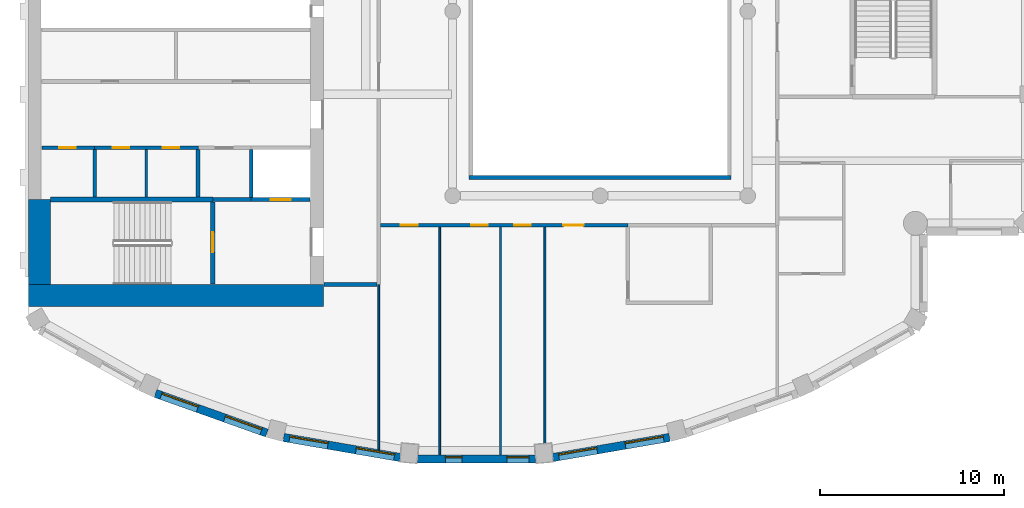
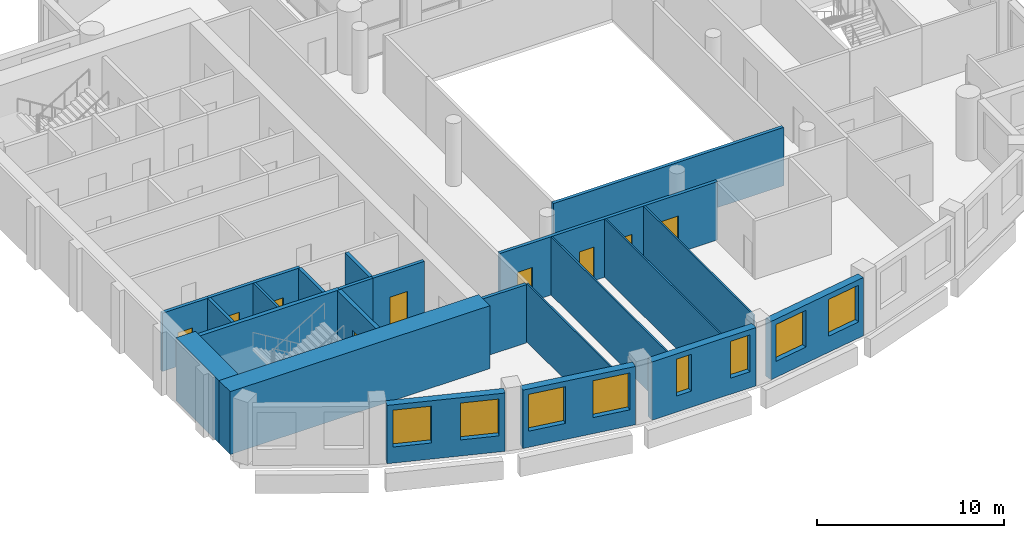
# One storey, part 4 of 14: 23 walls, 9 doors, 8 windows, 17 openings.
"""IFC4 building model written with IfcOpenShell, lengths in metres."""

from ifc_helpers import new_model, si_unit, direction, frame, frame_2d, origin, place, context, subcontext, project, spatial, rectangle, extrude, material, layer, layer_set, type_object, element, fill, save


model = new_model("IFC4")

# Units and contexts
model_context = context("Model", 3, precision=1e-05, world=origin(), true_north=direction((0.0, 1.0)))
body_context = subcontext(model_context, "Body", "Model", "MODEL_VIEW")
ifc_project = project(units=[si_unit("LENGTHUNIT", "METRE"), si_unit("AREAUNIT", "SQUARE_METRE"), si_unit("VOLUMEUNIT", "CUBIC_METRE"), si_unit("PLANEANGLEUNIT", "RADIAN"), si_unit("MASSUNIT", "GRAM", prefix="KILO")], contexts=[model_context])

# Site, building, storey
site_placement = place(None, origin())
site = spatial("IfcSite", under=ifc_project, at=site_placement, CompositionType="ELEMENT")
building_placement = place(site_placement, origin())
building = spatial("IfcBuilding", under=site, at=building_placement, Name="Cypress Arch Tower", CompositionType="ELEMENT")
storey_placement = place(building_placement, frame((0.0, 0.0, 296.699951171875)))
storey = spatial("IfcBuildingStorey", under=building, at=storey_placement, Name="L67", CompositionType="ELEMENT", Elevation=296.699951171875)

# Wall, openings, windows
ifc_material_1 = material(Name="Brick (red buff blend)", Category="masonry")
ifc_layer_1 = layer(ifc_material_1, 0.449951171875)
ifc_layer_set_1 = layer_set([ifc_layer_1], Name="Brick pier and spandrel wall BW450")
wall_type_1 = type_object("IfcWallType", Name="Brick pier and spandrel wall BW450", PredefinedType="SOLIDWALL", material=ifc_layer_set_1)
wall_1_placement = place(storey_placement, frame((-23.10498046875, -20.70947265625, 0.0), z_axis=(0.0, 0.0, 1.0), x_axis=(0.942104058931, -0.335320655711, 0.0)))
wall_1 = element("IfcWall", 1, at=wall_1_placement, inside=storey, type_object=wall_type_1, Name="Brick wall L67 C09.0", PredefinedType="SOLIDWALL", context=body_context, shape_type="SweptSolid", body=[
    extrude(rectangle(XDim=6.411376953125, YDim=0.449951171875, at=frame_2d((3.20556640625, 0.0))), origin(), (0.0, 0.0, 1.0), 3.800048828125),
])
opening_1_placement = place(wall_1_placement, frame((0.3271484375, 0.0, 1.050048828125)))
opening_1 = element("IfcOpeningElement", 2, at=opening_1_placement, cuts=wall_1, Name="Opening W210O", PredefinedType="OPENING", context=body_context, shape_type="SweptSolid", body=[
    extrude(rectangle(XDim=2.10009765625, YDim=2.39990234375, at=frame_2d((1.050048828125, 1.199951171875))), frame((0.0, 0.23486328125, 0.0), z_axis=(0.0, -1.0, 0.0), x_axis=(1.0, 0.0, 0.0)), (0.0, 0.0, 1.0), 0.469970703125),
])
opening_2_placement = place(wall_1_placement, frame((3.984619140625, 0.0, 1.050048828125)))
opening_2 = element("IfcOpeningElement", 3, at=opening_2_placement, cuts=wall_1, Name="Opening W210O", PredefinedType="OPENING", context=body_context, shape_type="SweptSolid", body=[
    extrude(rectangle(XDim=2.10009765625, YDim=2.39990234375, at=frame_2d((1.050048828125, 1.199951171875))), frame((0.0, 0.23486328125, 0.0), z_axis=(0.0, -1.0, 0.0), x_axis=(1.0, 0.0, 0.0)), (0.0, 0.0, 1.0), 0.469970703125),
])
ifc_material_2 = material(Name="Anodised aluminium, bronze finish, clear low-emissivity double glazing", Category="aluminium")
window_type_1 = type_object("IfcWindowType", Name="Window Office 2100x2400", PartitioningType="SINGLE_PANEL", PredefinedType="WINDOW", material=ifc_material_2)
window_1_placement = place(opening_1_placement, origin())
window_1 = element("IfcWindow", 4, at=window_1_placement, inside=storey, type_object=window_type_1, Name="Window L67 C09.0.1", OverallHeight=2.39990234375, OverallWidth=2.10009765625, PartitioningType="SINGLE_PANEL", PredefinedType="WINDOW", context=body_context, shape_type="SweptSolid", body=[
    extrude(rectangle(XDim=2.10009765625, YDim=2.39990234375, at=frame_2d((1.050048828125, 1.199951171875))), frame((0.0, 0.135009765625, 0.0), z_axis=(0.0, -1.0, 0.0), x_axis=(1.0, 0.0, 0.0)), (0.0, 0.0, 1.0), 0.06005859375),
])
fill(opening_1, window_1)
window_2_placement = place(opening_2_placement, origin())
window_2 = element("IfcWindow", 5, at=window_2_placement, inside=storey, type_object=window_type_1, Name="Window L67 C09.0.2", OverallHeight=2.39990234375, OverallWidth=2.10009765625, PartitioningType="SINGLE_PANEL", PredefinedType="WINDOW", context=body_context, shape_type="SweptSolid", body=[
    extrude(rectangle(XDim=2.10009765625, YDim=2.39990234375, at=frame_2d((1.050048828125, 1.199951171875))), frame((0.0, 0.135009765625, 0.0), z_axis=(0.0, -1.0, 0.0), x_axis=(1.0, 0.0, 0.0)), (0.0, 0.0, 1.0), 0.06005859375),
])
fill(opening_2, window_2)

wall_2_placement = place(storey_placement, frame((-16.15673828125, -23.09716796875, 0.0), z_axis=(0.0, 0.0, 1.0), x_axis=(0.985502073964, -0.169663379113, 0.0)))
wall_2 = element("IfcWall", 6, at=wall_2_placement, inside=storey, type_object=wall_type_1, Name="Brick wall L67 C10.0", PredefinedType="SOLIDWALL", context=body_context, shape_type="SweptSolid", body=[
    extrude(rectangle(XDim=6.412109375, YDim=0.449951171875, at=frame_2d((3.2060546875, 0.0))), origin(), (0.0, 0.0, 1.0), 3.800048828125),
])
opening_3_placement = place(wall_2_placement, frame((0.3271484375, 0.0, 1.050048828125)))
opening_3 = element("IfcOpeningElement", 7, at=opening_3_placement, cuts=wall_2, Name="Opening W210O", PredefinedType="OPENING", context=body_context, shape_type="SweptSolid", body=[
    extrude(rectangle(XDim=2.10009765625, YDim=2.39990234375, at=frame_2d((1.050048828125, 1.199951171875))), frame((0.0, 0.23486328125, 0.0), z_axis=(0.0, -1.0, 0.0), x_axis=(1.0, 0.0, 0.0)), (0.0, 0.0, 1.0), 0.469970703125),
])
opening_4_placement = place(wall_2_placement, frame((3.98486328125, 0.0, 1.050048828125)))
opening_4 = element("IfcOpeningElement", 8, at=opening_4_placement, cuts=wall_2, Name="Opening W210O", PredefinedType="OPENING", context=body_context, shape_type="SweptSolid", body=[
    extrude(rectangle(XDim=2.10009765625, YDim=2.39990234375, at=frame_2d((1.050048828125, 1.199951171875))), frame((0.0, 0.23486328125, 0.0), z_axis=(0.0, -1.0, 0.0), x_axis=(1.0, 0.0, 0.0)), (0.0, 0.0, 1.0), 0.469970703125),
])
window_3_placement = place(opening_3_placement, origin())
window_3 = element("IfcWindow", 9, at=window_3_placement, inside=storey, type_object=window_type_1, Name="Window L67 C10.0.1", OverallHeight=2.39990234375, OverallWidth=2.10009765625, PartitioningType="SINGLE_PANEL", PredefinedType="WINDOW", context=body_context, shape_type="SweptSolid", body=[
    extrude(rectangle(XDim=2.10009765625, YDim=2.39990234375, at=frame_2d((1.050048828125, 1.199951171875))), frame((0.0, 0.135009765625, 0.0), z_axis=(0.0, -1.0, 0.0), x_axis=(1.0, 0.0, 0.0)), (0.0, 0.0, 1.0), 0.06005859375),
])
fill(opening_3, window_3)
window_4_placement = place(opening_4_placement, origin())
window_4 = element("IfcWindow", 10, at=window_4_placement, inside=storey, type_object=window_type_1, Name="Window L67 C10.0.2", OverallHeight=2.39990234375, OverallWidth=2.10009765625, PartitioningType="SINGLE_PANEL", PredefinedType="WINDOW", context=body_context, shape_type="SweptSolid", body=[
    extrude(rectangle(XDim=2.10009765625, YDim=2.39990234375, at=frame_2d((1.050048828125, 1.199951171875))), frame((0.0, 0.135009765625, 0.0), z_axis=(0.0, -1.0, 0.0), x_axis=(1.0, 0.0, 0.0)), (0.0, 0.0, 1.0), 0.06005859375),
])
fill(opening_4, window_4)

wall_3_placement = place(storey_placement, frame((-8.90283203125, -24.264892578125, 0.0), z_axis=(0.0, 0.0, 1.0), x_axis=(1.0, 0.0, 0.0)))
wall_3 = element("IfcWall", 11, at=wall_3_placement, inside=storey, type_object=wall_type_1, Name="Brick wall L67 C11.0", PredefinedType="SOLIDWALL", context=body_context, shape_type="SweptSolid", body=[
    extrude(rectangle(XDim=6.405517578125, YDim=0.449951171875, at=frame_2d((3.20263671875, 0.0))), origin(), (0.0, 0.0, 1.0), 3.800048828125),
])
opening_5_placement = place(wall_3_placement, frame((1.51416015625, 0.0, 1.050048828125)))
opening_5 = element("IfcOpeningElement", 12, at=opening_5_placement, cuts=wall_3, Name="Opening W090O", PredefinedType="OPENING", context=body_context, shape_type="SweptSolid", body=[
    extrude(rectangle(XDim=0.89990234375, YDim=2.39990234375, at=frame_2d((0.449951171875, 1.199951171875))), frame((0.0, 0.23486328125, 0.0), z_axis=(0.0, -1.0, 0.0), x_axis=(1.0, 0.0, 0.0)), (0.0, 0.0, 1.0), 0.469970703125),
])
opening_6_placement = place(wall_3_placement, frame((4.84130859375, 0.0, 1.050048828125)))
opening_6 = element("IfcOpeningElement", 13, at=opening_6_placement, cuts=wall_3, Name="Opening W120O", PredefinedType="OPENING", context=body_context, shape_type="SweptSolid", body=[
    extrude(rectangle(XDim=1.199951171875, YDim=2.39990234375, at=frame_2d((0.60009765625, 1.199951171875))), frame((0.0, 0.23486328125, 0.0), z_axis=(0.0, -1.0, 0.0), x_axis=(1.0, 0.0, 0.0)), (0.0, 0.0, 1.0), 0.469970703125),
])
ifc_material_3 = material(Name="Anodised aluminium, bronze finish, clear low-emissivity double glazing", Category="aluminium")
window_type_2 = type_object("IfcWindowType", Name="Window Office 1200x2400", PartitioningType="SINGLE_PANEL", PredefinedType="WINDOW", material=ifc_material_3)
window_5_placement = place(opening_6_placement, origin())
window_5 = element("IfcWindow", 14, at=window_5_placement, inside=storey, type_object=window_type_2, Name="Window L67 C11.0.2", OverallHeight=2.39990234375, OverallWidth=1.199951171875, PartitioningType="SINGLE_PANEL", PredefinedType="WINDOW", context=body_context, shape_type="SweptSolid", body=[
    extrude(rectangle(XDim=1.199951171875, YDim=2.39990234375, at=frame_2d((0.60009765625, 1.199951171875))), frame((0.0, 0.135009765625, 0.0), z_axis=(0.0, -1.0, 0.0), x_axis=(1.0, 0.0, 0.0)), (0.0, 0.0, 1.0), 0.06005859375),
])
fill(opening_6, window_5)
ifc_material_4 = material(Name="Anodised aluminium, bronze finish, clear low-emissivity double glazing", Category="aluminium")
window_type_3 = type_object("IfcWindowType", Name="Window Office 900x2400", PartitioningType="SINGLE_PANEL", PredefinedType="WINDOW", material=ifc_material_4)
window_6_placement = place(opening_5_placement, origin())
window_6 = element("IfcWindow", 15, at=window_6_placement, inside=storey, type_object=window_type_3, Name="Window L67 C11.0.1", OverallHeight=2.39990234375, OverallWidth=0.89990234375, PartitioningType="SINGLE_PANEL", PredefinedType="WINDOW", context=body_context, shape_type="SweptSolid", body=[
    extrude(rectangle(XDim=0.89990234375, YDim=2.39990234375, at=frame_2d((0.449951171875, 1.199951171875))), frame((0.0, 0.135009765625, 0.0), z_axis=(0.0, -1.0, 0.0), x_axis=(1.0, 0.0, 0.0)), (0.0, 0.0, 1.0), 0.06005859375),
])
fill(opening_5, window_6)

wall_4_placement = place(storey_placement, frame((-1.562255859375, -24.18505859375, 0.0), z_axis=(0.0, 0.0, 1.0), x_axis=(0.985502073964, 0.169663379113, 0.0)))
wall_4 = element("IfcWall", 16, at=wall_4_placement, inside=storey, type_object=wall_type_1, Name="Brick wall L67 C12.0", PredefinedType="SOLIDWALL", context=body_context, shape_type="SweptSolid", body=[
    extrude(rectangle(XDim=6.412109375, YDim=0.449951171875, at=frame_2d((3.2060546875, 0.0))), origin(), (0.0, 0.0, 1.0), 3.800048828125),
])
opening_7_placement = place(wall_4_placement, frame((0.3271484375, 0.0, 1.050048828125)))
opening_7 = element("IfcOpeningElement", 17, at=opening_7_placement, cuts=wall_4, Name="Opening W210O", PredefinedType="OPENING", context=body_context, shape_type="SweptSolid", body=[
    extrude(rectangle(XDim=2.10009765625, YDim=2.39990234375, at=frame_2d((1.050048828125, 1.199951171875))), frame((0.0, 0.23486328125, 0.0), z_axis=(0.0, -1.0, 0.0), x_axis=(1.0, 0.0, 0.0)), (0.0, 0.0, 1.0), 0.469970703125),
])
opening_8_placement = place(wall_4_placement, frame((3.98486328125, 0.0, 1.050048828125)))
opening_8 = element("IfcOpeningElement", 18, at=opening_8_placement, cuts=wall_4, Name="Opening W210O", PredefinedType="OPENING", context=body_context, shape_type="SweptSolid", body=[
    extrude(rectangle(XDim=2.10009765625, YDim=2.39990234375, at=frame_2d((1.050048828125, 1.199951171875))), frame((0.0, 0.23486328125, 0.0), z_axis=(0.0, -1.0, 0.0), x_axis=(1.0, 0.0, 0.0)), (0.0, 0.0, 1.0), 0.469970703125),
])
window_7_placement = place(opening_7_placement, origin())
window_7 = element("IfcWindow", 19, at=window_7_placement, inside=storey, type_object=window_type_1, Name="Window L67 C12.0.1", OverallHeight=2.39990234375, OverallWidth=2.10009765625, PartitioningType="SINGLE_PANEL", PredefinedType="WINDOW", context=body_context, shape_type="SweptSolid", body=[
    extrude(rectangle(XDim=2.10009765625, YDim=2.39990234375, at=frame_2d((1.050048828125, 1.199951171875))), frame((0.0, 0.135009765625, 0.0), z_axis=(0.0, -1.0, 0.0), x_axis=(1.0, 0.0, 0.0)), (0.0, 0.0, 1.0), 0.06005859375),
])
fill(opening_7, window_7)
window_8_placement = place(opening_8_placement, origin())
window_8 = element("IfcWindow", 20, at=window_8_placement, inside=storey, type_object=window_type_1, Name="Window L67 C12.0.2", OverallHeight=2.39990234375, OverallWidth=2.10009765625, PartitioningType="SINGLE_PANEL", PredefinedType="WINDOW", context=body_context, shape_type="SweptSolid", body=[
    extrude(rectangle(XDim=2.10009765625, YDim=2.39990234375, at=frame_2d((1.050048828125, 1.199951171875))), frame((0.0, 0.135009765625, 0.0), z_axis=(0.0, -1.0, 0.0), x_axis=(1.0, 0.0, 0.0)), (0.0, 0.0, 1.0), 0.06005859375),
])
fill(opening_8, window_8)

# Walls
ifc_material_5 = material(Name="Concrete C60/75", Category="concrete")
ifc_layer_2 = layer(ifc_material_5, 1.199951171875)
ifc_layer_set_2 = layer_set([ifc_layer_2], Name="Core wall CW1200 C60/75")
wall_type_2 = type_object("IfcWallType", Name="Core wall CW1200 C60/75", PredefinedType="SHEAR", material=ifc_layer_set_2)
wall_5_placement = place(storey_placement, frame((-30.0, -15.39990234375, 0.0), z_axis=(0.0, 0.0, 1.0), x_axis=(1.0, 0.0, 0.0)))
element("IfcWall", 21, at=wall_5_placement, inside=storey, type_object=wall_type_2, Name="Core wall", PredefinedType="SHEAR", context=body_context, shape_type="SweptSolid", body=[
    extrude(rectangle(XDim=16.0, YDim=1.199951171875, at=frame_2d((8.0, 0.0))), origin(), (0.0, 0.0, 1.0), 4.10009765625),
])
wall_6_placement = place(storey_placement, frame((-29.39990234375, -14.800048828125, 0.0), z_axis=(0.0, 0.0, 1.0), x_axis=(0.0, 1.0, 0.0)))
element("IfcWall", 22, at=wall_6_placement, inside=storey, type_object=wall_type_2, Name="Core wall", PredefinedType="SHEAR", context=body_context, shape_type="SweptSolid", body=[
    extrude(rectangle(XDim=4.60009765625, YDim=1.199951171875, at=frame_2d((2.300048828125, 0.0))), origin(), (0.0, 0.0, 1.0), 4.10009765625),
])

# Wall, openings, doors
ifc_material_6 = material(Name="Concrete blockwork, plastered, rated", Category="masonry")
ifc_layer_3 = layer(ifc_material_6, 0.199951171875)
ifc_layer_set_3 = layer_set([ifc_layer_3], Name="Corridor wall FW200")
wall_type_3 = type_object("IfcWallType", Name="Corridor wall FW200", PredefinedType="PARTITIONING", material=ifc_layer_set_3)
wall_7_placement = place(storey_placement, frame((-26.419921875, -7.39990234375, 0.0), z_axis=(0.0, 0.0, 1.0), x_axis=(1.0, 0.0, 0.0)))
wall_7 = element("IfcWall", 23, at=wall_7_placement, inside=storey, type_object=wall_type_3, Name="Corridor wall", PredefinedType="PARTITIONING", context=body_context, shape_type="SweptSolid", body=[
    extrude(rectangle(XDim=5.639892578125, YDim=0.199951171875, at=frame_2d((2.81982421875, 0.0))), origin(), (0.0, 0.0, 1.0), 3.800048828125),
])
opening_9_placement = place(wall_7_placement, frame((1.0, 0.0, 0.0)))
opening_9 = element("IfcOpeningElement", 24, at=opening_9_placement, cuts=wall_7, Name="Opening D05", PredefinedType="OPENING", context=body_context, shape_type="SweptSolid", body=[
    extrude(rectangle(XDim=0.89990234375, YDim=2.199951171875, at=frame_2d((0.449951171875, 1.10009765625))), frame((0.0, 0.10986328125, 0.0), z_axis=(0.0, -1.0, 0.0), x_axis=(1.0, 0.0, 0.0)), (0.0, 0.0, 1.0), 0.219970703125),
])
opening_10_placement = place(wall_7_placement, frame((3.699951171875, 0.0, 0.0)))
opening_10 = element("IfcOpeningElement", 25, at=opening_10_placement, cuts=wall_7, Name="Opening D05", PredefinedType="OPENING", context=body_context, shape_type="SweptSolid", body=[
    extrude(rectangle(XDim=0.89990234375, YDim=2.199951171875, at=frame_2d((0.449951171875, 1.10009765625))), frame((0.0, 0.10986328125, 0.0), z_axis=(0.0, -1.0, 0.0), x_axis=(1.0, 0.0, 0.0)), (0.0, 0.0, 1.0), 0.219970703125),
])
ifc_material_7 = material(Name="Timber flush door", Category="wood")
door_type_1 = type_object("IfcDoorType", Name="Service door D05 900x2200", OperationType="SINGLE_SWING_LEFT", PredefinedType="DOOR", material=ifc_material_7)
door_1_placement = place(opening_9_placement, origin())
door_1 = element("IfcDoor", 26, at=door_1_placement, inside=storey, type_object=door_type_1, Name="Service door", OperationType="SINGLE_SWING_LEFT", OverallHeight=2.199951171875, OverallWidth=0.89990234375, PredefinedType="DOOR", context=body_context, shape_type="SweptSolid", body=[
    extrude(rectangle(XDim=0.89990234375, YDim=2.199951171875, at=frame_2d((0.449951171875, 1.10009765625))), frame((0.0, 0.02490234375, 0.0), z_axis=(0.0, -1.0, 0.0), x_axis=(1.0, 0.0, 0.0)), (0.0, 0.0, 1.0), 0.050048828125),
])
fill(opening_9, door_1)
door_2_placement = place(opening_10_placement, origin())
door_2 = element("IfcDoor", 27, at=door_2_placement, inside=storey, type_object=door_type_1, Name="Service door", OperationType="SINGLE_SWING_RIGHT", OverallHeight=2.199951171875, OverallWidth=0.89990234375, PredefinedType="DOOR", context=body_context, shape_type="SweptSolid", body=[
    extrude(rectangle(XDim=0.89990234375, YDim=2.199951171875, at=frame_2d((0.449951171875, 1.10009765625))), frame((0.0, 0.02490234375, 0.0), z_axis=(0.0, -1.0, 0.0), x_axis=(1.0, 0.0, 0.0)), (0.0, 0.0, 1.0), 0.050048828125),
])
fill(opening_10, door_2)

# Wall
wall_8_placement = place(storey_placement, frame((-13.969970703125, -14.800048828125, 0.0), z_axis=(0.0, 0.0, 1.0), x_axis=(1.0, 0.0, 0.0)))
element("IfcWall", 28, at=wall_8_placement, inside=storey, type_object=wall_type_3, Name="Corridor wall", PredefinedType="PARTITIONING", context=body_context, shape_type="SweptSolid", body=[
    extrude(rectangle(XDim=2.869873046875, YDim=0.199951171875, at=frame_2d((1.43505859375, 0.0))), origin(), (0.0, 0.0, 1.0), 3.800048828125),
])

# Wall, openings, doors
wall_9_placement = place(storey_placement, frame((-10.89990234375, -11.60009765625, 0.0), z_axis=(0.0, 0.0, 1.0), x_axis=(1.0, 0.0, 0.0)))
wall_9 = element("IfcWall", 29, at=wall_9_placement, inside=storey, type_object=wall_type_3, Name="Corridor wall", PredefinedType="PARTITIONING", context=body_context, shape_type="SweptSolid", body=[
    extrude(rectangle(XDim=13.4208984375, YDim=0.199951171875, at=frame_2d((6.71044921875, 0.0))), origin(), (0.0, 0.0, 1.0), 3.800048828125),
])
opening_11_placement = place(wall_9_placement, frame((1.10009765625, 0.0, 0.0)))
opening_11 = element("IfcOpeningElement", 30, at=opening_11_placement, cuts=wall_9, Name="Opening D03", PredefinedType="OPENING", context=body_context, shape_type="SweptSolid", body=[
    extrude(rectangle(XDim=0.89990234375, YDim=2.199951171875, at=frame_2d((0.449951171875, 1.10009765625))), frame((0.0, 0.10986328125, 0.0), z_axis=(0.0, -1.0, 0.0), x_axis=(1.0, 0.0, 0.0)), (0.0, 0.0, 1.0), 0.219970703125),
])
opening_12_placement = place(wall_9_placement, frame((4.89990234375, 0.0, 0.0)))
opening_12 = element("IfcOpeningElement", 31, at=opening_12_placement, cuts=wall_9, Name="Opening D03", PredefinedType="OPENING", context=body_context, shape_type="SweptSolid", body=[
    extrude(rectangle(XDim=0.89990234375, YDim=2.199951171875, at=frame_2d((0.449951171875, 1.10009765625))), frame((0.0, 0.10986328125, 0.0), z_axis=(0.0, -1.0, 0.0), x_axis=(1.0, 0.0, 0.0)), (0.0, 0.0, 1.0), 0.219970703125),
])
opening_13_placement = place(wall_9_placement, frame((7.25, 0.0, 0.0)))
opening_13 = element("IfcOpeningElement", 32, at=opening_13_placement, cuts=wall_9, Name="Opening D03", PredefinedType="OPENING", context=body_context, shape_type="SweptSolid", body=[
    extrude(rectangle(XDim=0.89990234375, YDim=2.199951171875, at=frame_2d((0.449951171875, 1.10009765625))), frame((0.0, 0.10986328125, 0.0), z_axis=(0.0, -1.0, 0.0), x_axis=(1.0, 0.0, 0.0)), (0.0, 0.0, 1.0), 0.219970703125),
])
opening_14_placement = place(wall_9_placement, frame((9.89990234375, 0.0, 0.0)))
opening_14 = element("IfcOpeningElement", 33, at=opening_14_placement, cuts=wall_9, Name="Opening D01", PredefinedType="OPENING", context=body_context, shape_type="SweptSolid", body=[
    extrude(rectangle(XDim=1.10009765625, YDim=2.39990234375, at=frame_2d((0.550048828125, 1.199951171875))), frame((0.0, 0.10986328125, 0.0), z_axis=(0.0, -1.0, 0.0), x_axis=(1.0, 0.0, 0.0)), (0.0, 0.0, 1.0), 0.219970703125),
])
ifc_material_8 = material(Name="Timber flush door, moisture resistant", Category="wood")
door_type_2 = type_object("IfcDoorType", Name="Bathroom door D03 900x2200", OperationType="SINGLE_SWING_LEFT", PredefinedType="DOOR", material=ifc_material_8)
door_3_placement = place(opening_11_placement, origin())
door_3 = element("IfcDoor", 34, at=door_3_placement, inside=storey, type_object=door_type_2, Name="Bathroom door", OperationType="SINGLE_SWING_RIGHT", OverallHeight=2.199951171875, OverallWidth=0.89990234375, PredefinedType="DOOR", context=body_context, shape_type="SweptSolid", body=[
    extrude(rectangle(XDim=0.89990234375, YDim=2.199951171875, at=frame_2d((0.449951171875, 1.10009765625))), frame((0.0, 0.02490234375, 0.0), z_axis=(0.0, -1.0, 0.0), x_axis=(1.0, 0.0, 0.0)), (0.0, 0.0, 1.0), 0.050048828125),
])
fill(opening_11, door_3)
door_4_placement = place(opening_12_placement, origin())
door_4 = element("IfcDoor", 35, at=door_4_placement, inside=storey, type_object=door_type_2, Name="Bathroom door", OperationType="SINGLE_SWING_LEFT", OverallHeight=2.199951171875, OverallWidth=0.89990234375, PredefinedType="DOOR", context=body_context, shape_type="SweptSolid", body=[
    extrude(rectangle(XDim=0.89990234375, YDim=2.199951171875, at=frame_2d((0.449951171875, 1.10009765625))), frame((0.0, 0.02490234375, 0.0), z_axis=(0.0, -1.0, 0.0), x_axis=(1.0, 0.0, 0.0)), (0.0, 0.0, 1.0), 0.050048828125),
])
fill(opening_12, door_4)
door_5_placement = place(opening_13_placement, origin())
door_5 = element("IfcDoor", 36, at=door_5_placement, inside=storey, type_object=door_type_2, Name="Bathroom door", OperationType="SINGLE_SWING_LEFT", OverallHeight=2.199951171875, OverallWidth=0.89990234375, PredefinedType="DOOR", context=body_context, shape_type="SweptSolid", body=[
    extrude(rectangle(XDim=0.89990234375, YDim=2.199951171875, at=frame_2d((0.449951171875, 1.10009765625))), frame((0.0, 0.02490234375, 0.0), z_axis=(0.0, -1.0, 0.0), x_axis=(1.0, 0.0, 0.0)), (0.0, 0.0, 1.0), 0.050048828125),
])
fill(opening_13, door_5)
ifc_material_9 = material(Name="Timber flush door, fire resisting, self-closing", Category="wood")
door_type_3 = type_object("IfcDoorType", Name="Unit entrance door D01 1100x2400", OperationType="SINGLE_SWING_LEFT", PredefinedType="DOOR", material=ifc_material_9)
door_6_placement = place(opening_14_placement, origin())
door_6 = element("IfcDoor", 37, at=door_6_placement, inside=storey, type_object=door_type_3, Name="Unit entrance door", OperationType="SINGLE_SWING_RIGHT", OverallHeight=2.39990234375, OverallWidth=1.10009765625, PredefinedType="DOOR", context=body_context, shape_type="SweptSolid", body=[
    extrude(rectangle(XDim=1.10009765625, YDim=2.39990234375, at=frame_2d((0.550048828125, 1.199951171875))), frame((0.0, 0.02490234375, 0.0), z_axis=(0.0, -1.0, 0.0), x_axis=(1.0, 0.0, 0.0)), (0.0, 0.0, 1.0), 0.050048828125),
])
fill(opening_14, door_6)

# Walls
wall_10_placement = place(storey_placement, frame((-6.10009765625, -9.0, 0.0), z_axis=(0.0, 0.0, 1.0), x_axis=(1.0, 0.0, 0.0)))
element("IfcWall", 38, at=wall_10_placement, inside=storey, type_object=wall_type_3, Name="Corridor wall", PredefinedType="PARTITIONING", context=body_context, shape_type="SweptSolid", body=[
    extrude(rectangle(XDim=14.2001953125, YDim=0.199951171875, at=frame_2d((7.10009765625, 0.0))), origin(), (0.0, 0.0, 1.0), 3.800048828125),
])
ifc_material_10 = material(Name="Blockwork, plastered both sides", Category="masonry")
ifc_layer_4 = layer(ifc_material_10, 0.14990234375)
ifc_layer_set_4 = layer_set([ifc_layer_4], Name="Partition PW150")
wall_type_4 = type_object("IfcWallType", Name="Partition PW150", PredefinedType="PARTITIONING", material=ifc_layer_set_4)
wall_11_placement = place(storey_placement, frame((-23.60009765625, -10.074951171875, 0.0), z_axis=(0.0, 0.0, 1.0), x_axis=(0.0, 1.0, 0.0)))
element("IfcWall", 39, at=wall_11_placement, inside=storey, type_object=wall_type_4, Name="Partition", PredefinedType="PARTITIONING", context=body_context, shape_type="SweptSolid", body=[
    extrude(rectangle(XDim=2.574951171875, YDim=0.14990234375, at=frame_2d((1.28759765625, 0.0))), origin(), (0.0, 0.0, 1.0), 3.800048828125),
])

# Wall, opening, door
ifc_material_11 = material(Name="Reinforced blockwork, plastered, rated", Category="masonry")
ifc_layer_5 = layer(ifc_material_11, 0.199951171875)
ifc_layer_set_5 = layer_set([ifc_layer_5], Name="Plant and riser wall PL200")
wall_type_5 = type_object("IfcWallType", Name="Plant and riser wall PL200", PredefinedType="PARTITIONING", material=ifc_layer_set_5)
wall_12_placement = place(storey_placement, frame((-29.27001953125, -7.39990234375, 0.0), z_axis=(0.0, 0.0, 1.0), x_axis=(1.0, 0.0, 0.0)))
wall_12 = element("IfcWall", 40, at=wall_12_placement, inside=storey, type_object=wall_type_5, Name="Plant and riser wall", PredefinedType="PARTITIONING", context=body_context, shape_type="SweptSolid", body=[
    extrude(rectangle(XDim=2.85009765625, YDim=0.199951171875, at=frame_2d((1.425048828125, 0.0))), origin(), (0.0, 0.0, 1.0), 3.800048828125),
])
opening_15_placement = place(wall_12_placement, frame((0.949951171875, 0.0, 0.0)))
opening_15 = element("IfcOpeningElement", 41, at=opening_15_placement, cuts=wall_12, Name="Opening D05", PredefinedType="OPENING", context=body_context, shape_type="SweptSolid", body=[
    extrude(rectangle(XDim=0.89990234375, YDim=2.199951171875, at=frame_2d((0.449951171875, 1.10009765625))), frame((0.0, 0.10986328125, 0.0), z_axis=(0.0, -1.0, 0.0), x_axis=(1.0, 0.0, 0.0)), (0.0, 0.0, 1.0), 0.219970703125),
])
door_7_placement = place(opening_15_placement, origin())
door_7 = element("IfcDoor", 42, at=door_7_placement, inside=storey, type_object=door_type_1, Name="Service door", OperationType="SINGLE_SWING_LEFT", OverallHeight=2.199951171875, OverallWidth=0.89990234375, PredefinedType="DOOR", context=body_context, shape_type="SweptSolid", body=[
    extrude(rectangle(XDim=0.89990234375, YDim=2.199951171875, at=frame_2d((0.449951171875, 1.10009765625))), frame((0.0, 0.02490234375, 0.0), z_axis=(0.0, -1.0, 0.0), x_axis=(1.0, 0.0, 0.0)), (0.0, 0.0, 1.0), 0.050048828125),
])
fill(opening_15, door_7)

# Walls
for number, where, z_axis, x_axis, name in (
    (43, (-26.39990234375, -10.074951171875, 0.0), (0.0, 0.0, 1.0), (0.0, 1.0, 0.0), "Plant and riser wall"),
    (44, (-20.800048828125, -10.074951171875, 0.0), (0.0, 0.0, 1.0), (0.0, 1.0, 0.0), "Plant and riser wall"),
):
    element("IfcWall", number, at=place(storey_placement, frame(where, z_axis=z_axis, x_axis=x_axis)), inside=storey, type_object=wall_type_5, Name=name, PredefinedType="PARTITIONING", context=body_context, shape_type="SweptSolid", body=[
        extrude(rectangle(XDim=2.574951171875, YDim=0.199951171875, at=frame_2d((1.28759765625, 0.0))), origin(), (0.0, 0.0, 1.0), 3.800048828125),
    ])
wall_13_placement = place(storey_placement, frame((-20.0, -10.199951171875, 0.0), z_axis=(0.0, 0.0, 1.0), x_axis=(1.0, 0.0, 0.0)))
element("IfcWall", 45, at=wall_13_placement, inside=storey, type_object=wall_type_5, Name="Plant and riser wall", PredefinedType="PARTITIONING", context=body_context, shape_type="SweptSolid", body=[
    extrude(rectangle(XDim=2.080078125, YDim=0.199951171875, at=frame_2d((1.0400390625, 0.0))), origin(), (0.0, 0.0, 1.0), 3.800048828125),
])
ifc_material_12 = material(Name="Concrete C50/60", Category="concrete")
ifc_layer_6 = layer(ifc_material_12, 0.199951171875)
ifc_layer_set_6 = layer_set([ifc_layer_6], Name="Shaft wall SH200")
wall_type_6 = type_object("IfcWallType", Name="Shaft wall SH200", PredefinedType="SHEAR", material=ifc_layer_set_6)
wall_14_placement = place(storey_placement, frame((-17.919921875, -10.10009765625, 0.0), z_axis=(0.0, 0.0, 1.0), x_axis=(0.0, 1.0, 0.0)))
element("IfcWall", 46, at=wall_14_placement, inside=storey, type_object=wall_type_6, Name="Shaft wall", PredefinedType="SHEAR", context=body_context, shape_type="SweptSolid", body=[
    extrude(rectangle(XDim=2.60009765625, YDim=0.199951171875, at=frame_2d((1.300048828125, 0.0))), origin(), (0.0, 0.0, 1.0), 3.800048828125),
])

# Wall, opening, door
wall_15_placement = place(storey_placement, frame((-17.919921875, -10.199951171875, 0.0), z_axis=(0.0, 0.0, 1.0), x_axis=(1.0, 0.0, 0.0)))
wall_15 = element("IfcWall", 47, at=wall_15_placement, inside=storey, type_object=wall_type_6, Name="Shaft wall", PredefinedType="SHEAR", context=body_context, shape_type="SweptSolid", body=[
    extrude(rectangle(XDim=3.18994140625, YDim=0.199951171875, at=frame_2d((1.594970703125, 0.0))), origin(), (0.0, 0.0, 1.0), 3.800048828125),
])
opening_16_placement = place(wall_15_placement, frame((1.050048828125, 0.0, 0.0)))
opening_16 = element("IfcOpeningElement", 48, at=opening_16_placement, cuts=wall_15, Name="Opening LD-FL1", PredefinedType="OPENING", context=body_context, shape_type="SweptSolid", body=[
    extrude(rectangle(XDim=1.10009765625, YDim=2.199951171875, at=frame_2d((0.550048828125, 1.10009765625))), frame((0.0, 0.10986328125, 0.0), z_axis=(0.0, -1.0, 0.0), x_axis=(1.0, 0.0, 0.0)), (0.0, 0.0, 1.0), 0.219970703125),
])
ifc_material_13 = material(Name="Stainless steel centre-opening landing door, rated", Category="steel")
door_type_4 = type_object("IfcDoorType", Name="Lift landing door LD 1100x2200", OperationType="DOUBLE_DOOR_SLIDING", PredefinedType="DOOR", material=ifc_material_13)
door_8_placement = place(opening_16_placement, origin())
door_8 = element("IfcDoor", 49, at=door_8_placement, inside=storey, type_object=door_type_4, Name="Lift landing doors FL1", OperationType="DOUBLE_DOOR_SLIDING", OverallHeight=2.199951171875, OverallWidth=1.10009765625, PredefinedType="DOOR", context=body_context, shape_type="SweptSolid", body=[
    extrude(rectangle(XDim=1.10009765625, YDim=2.199951171875, at=frame_2d((0.550048828125, 1.10009765625))), frame((0.0, 0.02490234375, 0.0), z_axis=(0.0, -1.0, 0.0), x_axis=(1.0, 0.0, 0.0)), (0.0, 0.0, 1.0), 0.050048828125),
])
fill(opening_16, door_8)

# Wall
ifc_material_14 = material(Name="Concrete C50/60", Category="concrete")
ifc_layer_7 = layer(ifc_material_14, 0.25)
ifc_layer_set_7 = layer_set([ifc_layer_7], Name="Stair enclosure wall SW250")
wall_type_7 = type_object("IfcWallType", Name="Stair enclosure wall SW250", PredefinedType="SHEAR", material=ifc_layer_set_7)
wall_16_placement = place(storey_placement, frame((-28.81005859375, -10.199951171875, 0.0), z_axis=(0.0, 0.0, 1.0), x_axis=(1.0, 0.0, 0.0)))
element("IfcWall", 50, at=wall_16_placement, inside=storey, type_object=wall_type_7, Name="Stair enclosure wall", PredefinedType="SHEAR", context=body_context, shape_type="SweptSolid", body=[
    extrude(rectangle(XDim=8.81005859375, YDim=0.25, at=frame_2d((4.405029296875, 0.0))), origin(), (0.0, 0.0, 1.0), 3.800048828125),
])

# Wall, opening, door
wall_17_placement = place(storey_placement, frame((-20.0, -14.77001953125, 0.0), z_axis=(0.0, 0.0, 1.0), x_axis=(0.0, 1.0, 0.0)))
wall_17 = element("IfcWall", 51, at=wall_17_placement, inside=storey, type_object=wall_type_7, Name="Stair enclosure wall", PredefinedType="SHEAR", context=body_context, shape_type="SweptSolid", body=[
    extrude(rectangle(XDim=4.445068359375, YDim=0.25, at=frame_2d((2.22265625, 0.0))), origin(), (0.0, 0.0, 1.0), 3.800048828125),
])
opening_17_placement = place(wall_17_placement, frame((1.699951171875, 0.0, 0.0)))
opening_17 = element("IfcOpeningElement", 52, at=opening_17_placement, cuts=wall_17, Name="Opening D06", PredefinedType="OPENING", context=body_context, shape_type="SweptSolid", body=[
    extrude(rectangle(XDim=1.10009765625, YDim=2.199951171875, at=frame_2d((0.550048828125, 1.10009765625))), frame((0.0, 0.135009765625, 0.0), z_axis=(0.0, -1.0, 0.0), x_axis=(1.0, 0.0, 0.0)), (0.0, 0.0, 1.0), 0.27001953125),
])
ifc_material_15 = material(Name="Steel door, fire resisting, panic bar", Category="steel")
door_type_5 = type_object("IfcDoorType", Name="Stair door D06 1100x2200", OperationType="SINGLE_SWING_LEFT", PredefinedType="DOOR", material=ifc_material_15)
door_9_placement = place(opening_17_placement, origin())
door_9 = element("IfcDoor", 53, at=door_9_placement, inside=storey, type_object=door_type_5, Name="Stair door", OperationType="SINGLE_SWING_RIGHT", OverallHeight=2.199951171875, OverallWidth=1.10009765625, PredefinedType="DOOR", context=body_context, shape_type="SweptSolid", body=[
    extrude(rectangle(XDim=1.10009765625, YDim=2.199951171875, at=frame_2d((0.550048828125, 1.10009765625))), frame((0.0, 0.02490234375, 0.0), z_axis=(0.0, -1.0, 0.0), x_axis=(1.0, 0.0, 0.0)), (0.0, 0.0, 1.0), 0.050048828125),
])
fill(opening_17, door_9)

# Walls
ifc_material_16 = material(Name="Moisture resistant board on steel studs, tiled", Category="steel")
ifc_layer_8 = layer(ifc_material_16, 0.10009765625)
ifc_layer_set_8 = layer_set([ifc_layer_8], Name="Wet wall PW100")
wall_type_8 = type_object("IfcWallType", Name="Wet wall PW100", PredefinedType="PARTITIONING", material=ifc_layer_set_8)
wall_18_placement = place(storey_placement, frame((-11.0, -23.756591796875, 0.0), z_axis=(0.0, 0.0, 1.0), x_axis=(0.0, 1.0, 0.0)))
element("IfcWall", 54, at=wall_18_placement, inside=storey, type_object=wall_type_8, Name="Wet wall", PredefinedType="PARTITIONING", context=body_context, shape_type="SweptSolid", body=[
    extrude(rectangle(XDim=8.9365234375, YDim=0.10009765625, at=frame_2d((4.46826171875, 0.0))), origin(), (0.0, 0.0, 1.0), 3.800048828125),
])
for number, where, z_axis, x_axis, name in (
    (55, (-7.699951171875, -24.0400390625, 0.0), (0.0, 0.0, 1.0), (0.0, 1.0, 0.0), "Wet wall"),
    (56, (-4.39990234375, -24.0400390625, 0.0), (0.0, 0.0, 1.0), (0.0, 1.0, 0.0), "Wet wall"),
):
    element("IfcWall", number, at=place(storey_placement, frame(where, z_axis=z_axis, x_axis=x_axis)), inside=storey, type_object=wall_type_8, Name=name, PredefinedType="PARTITIONING", context=body_context, shape_type="SweptSolid", body=[
        extrude(rectangle(XDim=12.340087890625, YDim=0.10009765625, at=frame_2d((6.169921875, 0.0))), origin(), (0.0, 0.0, 1.0), 3.800048828125),
    ])
wall_19_placement = place(storey_placement, frame((-2.0, -23.447265625, 0.0), z_axis=(0.0, 0.0, 1.0), x_axis=(0.0, 1.0, 0.0)))
element("IfcWall", 57, at=wall_19_placement, inside=storey, type_object=wall_type_8, Name="Wet wall", PredefinedType="PARTITIONING", context=body_context, shape_type="SweptSolid", body=[
    extrude(rectangle(XDim=11.747314453125, YDim=0.10009765625, at=frame_2d((5.87353515625, 0.0))), origin(), (0.0, 0.0, 1.0), 3.800048828125),
])

save(model, "model.ifc")
